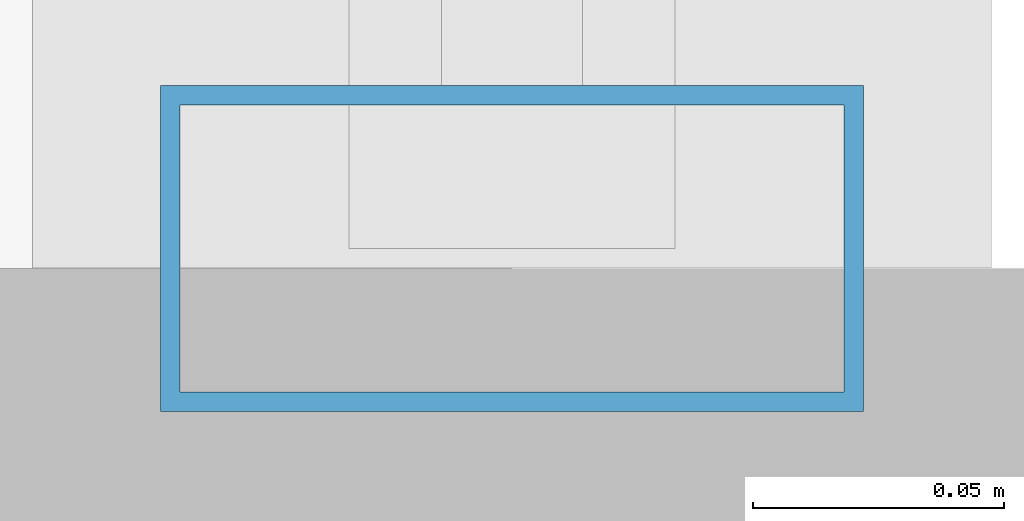
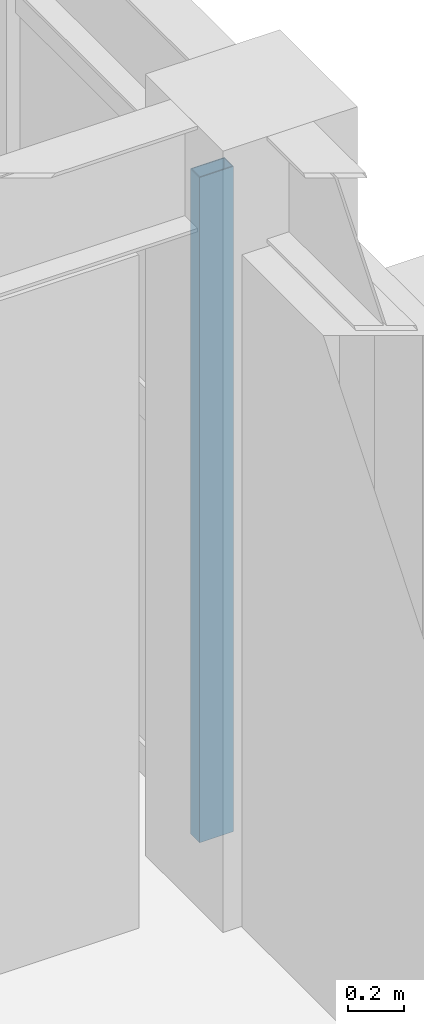
# One storey, part 10 of 93: 1 member, 1 element without a shape of its own.
"""IFC4 building model written with IfcOpenShell, lengths in metres."""

from ifc_helpers import new_model, si_unit, direction, frame, origin, origin_2d, place, context, subcontext, project, spatial, hollow_rectangle, extrude, material, material_profile, profile_set, type_object, element, aggregate, save


model = new_model("IFC4")

# Units and contexts
model_context = context("Model", 3, precision=1e-05, world=origin(), true_north=direction((0.0, 1.0)))
body_context = subcontext(model_context, "Body", "Model", "MODEL_VIEW")
ifc_project = project(units=[si_unit("LENGTHUNIT", "METRE"), si_unit("AREAUNIT", "SQUARE_METRE"), si_unit("VOLUMEUNIT", "CUBIC_METRE"), si_unit("PLANEANGLEUNIT", "RADIAN"), si_unit("MASSUNIT", "GRAM", prefix="KILO")], contexts=[model_context])

# Site, building, storey
site_placement = place(None, origin())
site = spatial("IfcSite", under=ifc_project, at=site_placement, CompositionType="ELEMENT")
building_placement = place(site_placement, origin())
building = spatial("IfcBuilding", under=site, at=building_placement, Name="Cimatlan Art Gallery", CompositionType="ELEMENT")
storey_placement = place(building_placement, frame((0.0, 0.0, 13.800048828125)))
storey = spatial("IfcBuildingStorey", under=building, at=storey_placement, Name="L03", CompositionType="ELEMENT", Elevation=13.800048828125)

# Curtain wall, member
ifc_material_1 = material(Name="Anodised bronze unitised curtain wall")
curtain_wall_type = type_object("IfcCurtainWallType", Name="CW-V-06842X02878-B5", PredefinedType="NOTDEFINED", material=ifc_material_1)
curtain_wall_placement = place(storey_placement, origin())
curtain_wall = element("IfcCurtainWall", 1, at=curtain_wall_placement, inside=storey, type_object=curtain_wall_type, Name="CW-L03-05-05-E", PredefinedType="NOTDEFINED")
ifc_material_2 = material(Name="Anodised bronze aluminium 6063-T6", Category="aluminium")
ifc_material_profile = material_profile(ifc_material_2, hollow_rectangle(XDim=0.06494140625, YDim=0.139892578125, WallThickness=0.00390625, at=origin_2d()), Name="ALU65X140X4")
ifc_profile_set = profile_set([ifc_material_profile], Name="Anodised bronze aluminium 6063-T6")
member_type = type_object("IfcMemberType", Name="CW-MUL-140", PredefinedType="MULLION", material=ifc_profile_set)
member_placement = place(storey_placement, frame((50.60009765625, 38.97900390625, 0.0), z_axis=(0.0, 0.0, 1.0), x_axis=(0.0, 1.0, 0.0)))
member = element("IfcMember", 2, at=member_placement, type_object=member_type, Name="CW-L03-05-05-E-M6", PredefinedType="MULLION", context=body_context, shape_type="SweptSolid", body=[
    extrude(hollow_rectangle(XDim=0.06494140625, YDim=0.139892578125, WallThickness=0.00390625, at=origin_2d()), origin(), (0.0, 0.0, 1.0), 2.8779296875),
])
aggregate(curtain_wall, [member])

save(model, "model.ifc")
